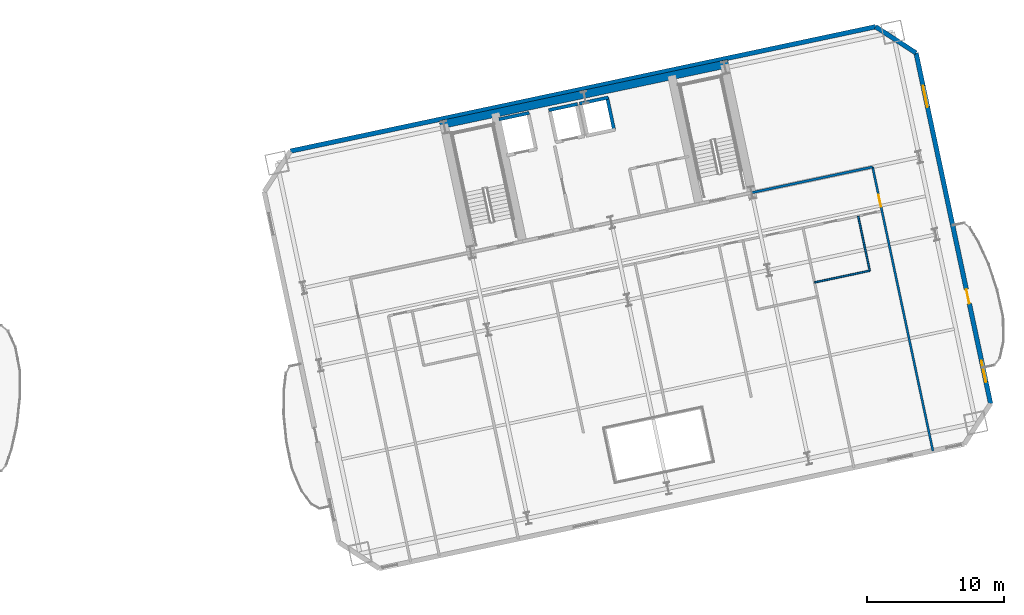
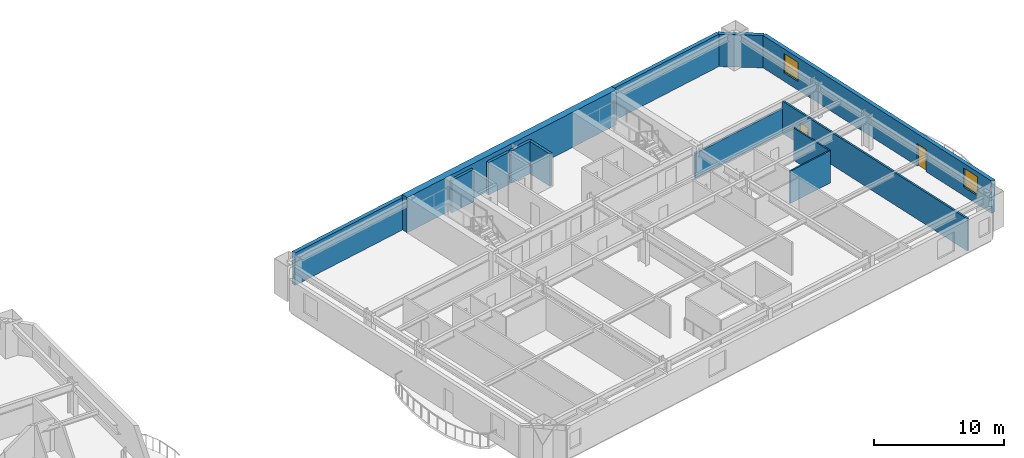
# One storey, part 9 of 16: 12 walls, 2 doors, 2 windows, 4 openings.
"""IFC4 building model written with IfcOpenShell, lengths in metres."""

import ifcopenshell
import ifcopenshell.guid

model = None  # the IFC model being written
_history = None  # IfcOwnerHistory: only IFC2X3 demands one
_inside = {}  # id of a spatial element -> (the spatial element, [elements in it])
_under = {}  # id of a project, library or spatial element -> (it, [spatial elements below it])
_declared = {}  # id of a project -> (the project, [libraries it declares])
_typed = {}  # id of a type object -> (the type object, [elements of that type])
_made_of = {}  # id of a material, layer set ... -> (it, [elements and type objects made of it])


def new_model(schema):
    """Start an empty IFC model of exactly this schema.

    Asked for "IFC4X3", IfcOpenShell would pick the latest addendum, in which some entities
    have other attributes; the version numbers below select the first issue.
    IFC2X3 requires an IfcOwnerHistory on every rooted entity: one is made here for all.
    """
    global model, _history
    if schema == "IFC4X3":
        model = ifcopenshell.file(schema_version=(4, 3, 0, 0))
    else:
        model = ifcopenshell.file(schema=schema)
    _inside.clear()
    _under.clear()
    _declared.clear()
    _typed.clear()
    _made_of.clear()
    _history = None
    if model.schema == "IFC2X3":
        org = make("IfcOrganization", Name="unknown")
        user = make(
            "IfcPersonAndOrganization",
            ThePerson=make("IfcPerson", FamilyName="unknown"),
            TheOrganization=org,
        )
        app = make(
            "IfcApplication",
            ApplicationDeveloper=org,
            Version="unknown",
            ApplicationFullName="unknown",
            ApplicationIdentifier="unknown",
        )
        _history = make(
            "IfcOwnerHistory",
            OwningUser=user,
            OwningApplication=app,
            ChangeAction="ADDED",
            CreationDate=0,
        )
    return model


def make(cls, **values):
    """One entity of the class cls with the attributes given. An attribute that is None is left unset."""
    return model.create_entity(
        cls, **{name: value for name, value in values.items() if value is not None}
    )


def rooted(cls, **values):
    """An entity with a GlobalId (a new one), such as an element, a storey or a relation."""
    return make(cls, GlobalId=ifcopenshell.guid.new(), OwnerHistory=_history, **values)


def si_unit(unit_type, name, prefix=None):
    """IfcSIUnit, for example si_unit("LENGTHUNIT", "METRE", prefix="MILLI")."""
    return make("IfcSIUnit", UnitType=unit_type, Prefix=prefix, Name=name)


def assignment(units):
    """IfcUnitAssignment: the units of a project."""
    return None if units is None else make("IfcUnitAssignment", Units=units)


def point(xyz):
    """IfcCartesianPoint."""
    return None if xyz is None else make("IfcCartesianPoint", Coordinates=xyz)


def direction(xyz):
    """IfcDirection."""
    return None if xyz is None else make("IfcDirection", DirectionRatios=xyz)


def frame(location, z_axis=None, x_axis=None):
    """IfcAxis2Placement3D, a coordinate frame: its origin and axes. An axis left out is left unset."""
    return make(
        "IfcAxis2Placement3D",
        Location=point(location),
        Axis=direction(z_axis),
        RefDirection=direction(x_axis),
    )


def frame_2d(location, x_axis=None):
    """IfcAxis2Placement2D, a coordinate frame in the plane: its origin and x axis."""
    return make(
        "IfcAxis2Placement2D", Location=point(location), RefDirection=direction(x_axis)
    )


def origin():
    """The frame at (0, 0, 0) with its axes left unset."""
    return frame((0.0, 0.0, 0.0))


def place(relative_to, where):
    """IfcLocalPlacement: puts the frame where relative to a parent placement (None: the world)."""
    return make(
        "IfcLocalPlacement", PlacementRelTo=relative_to, RelativePlacement=where
    )


def context(
    kind, dimensions, precision=None, world=None, true_north=None, identifier=None
):
    """IfcGeometricRepresentationContext, for example the 3D "Model" context."""
    return make(
        "IfcGeometricRepresentationContext",
        ContextIdentifier=identifier,
        ContextType=kind,
        CoordinateSpaceDimension=dimensions,
        Precision=precision,
        WorldCoordinateSystem=world,
        TrueNorth=true_north,
    )


def subcontext(parent, identifier, kind, view, scale=None):
    """IfcGeometricRepresentationSubContext, for example "Body" below "Model"."""
    return make(
        "IfcGeometricRepresentationSubContext",
        ContextIdentifier=identifier,
        ContextType=kind,
        ParentContext=parent,
        TargetScale=scale,
        TargetView=view,
    )


def project(units=None, contexts=None):
    """IfcProject with its units and contexts."""
    return rooted(
        "IfcProject",
        Name="project",
        RepresentationContexts=contexts,
        UnitsInContext=assignment(units),
    )


def spatial(cls, under=None, at=None, **own):
    """A site, building, storey or space (cls), placed at a placement, below another one or the project."""
    s = rooted(cls, ObjectPlacement=at, **own)
    if under is not None:
        _under.setdefault(under.id(), (under, []))[1].append(s)
    return s


def profile(cls, at=None, kind="AREA", **sizes):
    """A parametric profile (cls). Its sizes go by their IFC names, for example OverallWidth=200.0."""
    return make(cls, ProfileType=kind, Position=at, **sizes)


def rectangle(**sizes):
    """IfcRectangleProfileDef."""
    return profile("IfcRectangleProfileDef", **sizes)


def extrude(swept, where, along, depth):
    """IfcExtrudedAreaSolid: the profile swept, set in the frame where, extruded along a direction by depth."""
    return make(
        "IfcExtrudedAreaSolid",
        SweptArea=swept,
        Position=where,
        ExtrudedDirection=direction(along),
        Depth=depth,
    )


def shape(context_of_items, identifier, shape_type, items):
    """IfcShapeRepresentation: the items that make up one representation, for example the "Body"."""
    return make(
        "IfcShapeRepresentation",
        ContextOfItems=context_of_items,
        RepresentationIdentifier=identifier,
        RepresentationType=shape_type,
        Items=items,
    )


def material(Name=None, Category=None):
    """IfcMaterial."""
    return make("IfcMaterial", Name=Name, Category=Category)


def layer(
    of_material, thickness, ventilated=None, Name=None, Category=None, Priority=None
):
    """IfcMaterialLayer: one layer of a wall or slab, of a material (None: an air gap)."""
    return make(
        "IfcMaterialLayer",
        Material=of_material,
        LayerThickness=thickness,
        IsVentilated=ventilated,
        Name=Name,
        Category=Category,
        Priority=Priority,
    )


def layer_set(layers, Name=None):
    """IfcMaterialLayerSet."""
    return make("IfcMaterialLayerSet", MaterialLayers=layers, LayerSetName=Name)


def made_of(thing, what):
    """Note that an element or type object is made of a material, layer set ...; save() writes the relation."""
    if what is not None:
        _made_of.setdefault(what.id(), (what, []))[1].append(thing)
    return thing


def type_object(cls, material=None, **own):
    """A type object (cls), such as IfcWallType, which elements share."""
    return made_of(rooted(cls, **own), material)


def element(
    cls,
    number,
    at=None,
    inside=None,
    cuts=None,
    type_object=None,
    material=None,
    context=None,
    identifier="Body",
    shape_type=None,
    held_by="IfcProductDefinitionShape",
    body=None,
    shapes=None,
    **own,
):
    """One element of the class cls, such as IfcWall. Its Tag is "e" and its number.

    at: its placement. inside: the storey or other place that contains it. cuts: it is an
    opening in that element (IfcRelVoidsElement). A single representation is given by context,
    identifier, shape_type and body (its items); several are given by shapes. held_by: the class
    of the entity that holds the representations. save() writes the other relations.
    """
    e = rooted(cls, Tag="e%d" % number, ObjectPlacement=at, **own)
    if body is not None:
        shapes = [shape(context, identifier, shape_type, body)]
    if shapes is not None:
        e.Representation = make(held_by, Representations=shapes)
    if inside is not None:
        _inside.setdefault(inside.id(), (inside, []))[1].append(e)
    if cuts is not None:
        rooted(
            "IfcRelVoidsElement", RelatingBuildingElement=cuts, RelatedOpeningElement=e
        )
    if type_object is not None:
        _typed.setdefault(type_object.id(), (type_object, []))[1].append(e)
    return made_of(e, material)


def fill(opening, filler):
    """IfcRelFillsElement: the door or window that sits in an opening."""
    return rooted(
        "IfcRelFillsElement",
        RelatingOpeningElement=opening,
        RelatedBuildingElement=filler,
    )


def aggregate(whole, parts):
    """IfcRelAggregates: a whole, such as a stair, and the parts it consists of."""
    return rooted("IfcRelAggregates", RelatingObject=whole, RelatedObjects=parts)


def save(model, path):
    """Write the relations noted so far, then the file.

    IfcRelAggregates (storeys below a building ...), IfcRelContainedInSpatialStructure (elements
    in a storey), IfcRelDefinesByType, IfcRelAssociatesMaterial and IfcRelDeclares: one each for
    every whole, place, type object, material and project.
    """
    for whole, parts in _under.values():
        aggregate(whole, parts)
    for where, things in _inside.values():
        rooted(
            "IfcRelContainedInSpatialStructure",
            RelatedElements=things,
            RelatingStructure=where,
        )
    for kind, things in _typed.values():
        rooted("IfcRelDefinesByType", RelatedObjects=things, RelatingType=kind)
    for what, things in _made_of.values():
        rooted("IfcRelAssociatesMaterial", RelatedObjects=things, RelatingMaterial=what)
    for by, libraries in _declared.values():
        rooted("IfcRelDeclares", RelatingContext=by, RelatedDefinitions=libraries)
    model.write(path)


model = new_model("IFC4")

# Units and contexts
model_context = context("Model", 3, precision=1e-05, world=origin(), true_north=direction((0.0, 1.0)))
body_context = subcontext(model_context, "Body", "Model", "MODEL_VIEW")
ifc_project = project(units=[si_unit("LENGTHUNIT", "METRE"), si_unit("AREAUNIT", "SQUARE_METRE"), si_unit("VOLUMEUNIT", "CUBIC_METRE"), si_unit("PLANEANGLEUNIT", "RADIAN"), si_unit("MASSUNIT", "GRAM", prefix="KILO")], contexts=[model_context])

# Site, building, storey
site_placement = place(None, origin())
site = spatial("IfcSite", under=ifc_project, at=site_placement, CompositionType="ELEMENT")
building_placement = place(site_placement, origin())
building = spatial("IfcBuilding", under=site, at=building_placement, Name="Haevon Station Towers", CompositionType="ELEMENT")
storey_placement = place(building_placement, frame((0.0, 0.0, 53.699951171875)))
storey = spatial("IfcBuildingStorey", under=building, at=storey_placement, Name="L13", CompositionType="ELEMENT", Elevation=53.699951171875)

# Walls
ifc_material_1 = material(Name="Gypsum board on steel stud", Category="steel")
ifc_layer_1 = layer(ifc_material_1, 0.179931640625)
ifc_layer_set_1 = layer_set([ifc_layer_1], Name="Gypsum board on steel stud")
wall_type_1 = type_object("IfcWallType", Name="WL-ACU180", PredefinedType="PARTITIONING", material=ifc_layer_set_1)
wall_1_placement = place(storey_placement, frame((119.29345703125, 41.80859375, 0.0), z_axis=(0.0, 0.0, 1.0), x_axis=(0.978148085545, 0.207909409948, 0.0)))
element("IfcWall", 1, at=wall_1_placement, inside=storey, type_object=wall_type_1, Name="WL-T2PT-L13-03", PredefinedType="PARTITIONING", context=body_context, shape_type="SweptSolid", body=[
    extrude(rectangle(XDim=9.050048828125, YDim=0.179931640625, at=frame_2d((4.52490234375, 0.0))), origin(), (0.0, 0.0, 1.0), 2.330078125),
])
ifc_material_2 = material(Name="Concrete C60/75", Category="concrete")
ifc_layer_2 = layer(ifc_material_2, 0.60009765625)
ifc_layer_set_2 = layer_set([ifc_layer_2], Name="Concrete C60/75")
wall_type_2 = type_object("IfcWallType", Name="WL-CR600", PredefinedType="SHEAR", material=ifc_layer_set_2)
wall_2_placement = place(storey_placement, frame((96.462890625, 46.770263671875, 0.0), z_axis=(0.0, 0.0, 1.0), x_axis=(0.978147272959, 0.207913232873, 0.0)))
element("IfcWall", 2, at=wall_2_placement, inside=storey, type_object=wall_type_2, Name="WL-T2CR-L13-N", PredefinedType="SHEAR", context=body_context, shape_type="SweptSolid", body=[
    extrude(rectangle(XDim=21.60009765625, YDim=0.60009765625, at=frame_2d((10.800048828125, 0.0))), origin(), (0.0, 0.0, 1.0), 3.300048828125),
])
ifc_material_3 = material(Name="Precast concrete C45/55", Category="concrete")
ifc_layer_3 = layer(ifc_material_3, 0.340087890625)
ifc_layer_set_3 = layer_set([ifc_layer_3], Name="Precast concrete C45/55")
wall_type_3 = type_object("IfcWallType", Name="WL-EXT-PIER340", PredefinedType="SOLIDWALL", material=ifc_layer_set_3)
wall_3_placement = place(storey_placement, frame((85.5224609375, 44.853759765625, 0.0), z_axis=(0.0, 0.0, 1.0), x_axis=(0.978147913223, 0.207910220665, 0.0)))
element("IfcWall", 3, at=wall_3_placement, inside=storey, type_object=wall_type_3, Name="WL-T2-L13-N", PredefinedType="SOLIDWALL", context=body_context, shape_type="SweptSolid", body=[
    extrude(rectangle(XDim=43.7998046875, YDim=0.340087890625, at=frame_2d((21.89990234375, 0.0))), origin(), (0.0, 0.0, 1.0), 3.030029296875),
])
wall_4_placement = place(storey_placement, frame((128.365234375, 53.960205078125, 0.0), z_axis=(0.0, 0.0, 1.0), x_axis=(0.838672309694, -0.544636352948, 0.0)))
element("IfcWall", 4, at=wall_4_placement, inside=storey, type_object=wall_type_3, Name="WL-T2-L13-NEC", PredefinedType="SOLIDWALL", context=body_context, shape_type="SweptSolid", body=[
    extrude(rectangle(XDim=3.535400390625, YDim=0.340087890625, at=frame_2d((1.767578125, 0.0))), origin(), (0.0, 0.0, 1.0), 3.030029296875),
])

# Wall, openings, door, windows
wall_5_placement = place(storey_placement, frame((131.330322265625, 52.03466796875, 0.0), z_axis=(0.0, 0.0, 1.0), x_axis=(0.207913593786, -0.978147196244, 0.0)))
wall_5 = element("IfcWall", 5, at=wall_5_placement, inside=storey, type_object=wall_type_3, Name="WL-T2-L13-E", PredefinedType="SOLIDWALL", context=body_context, shape_type="SweptSolid", body=[
    extrude(rectangle(XDim=26.250244140625, YDim=0.340087890625, at=frame_2d((13.125, 0.0))), origin(), (0.0, 0.0, 1.0), 3.030029296875),
])
opening_1_placement = place(wall_5_placement, frame((17.699951171875, 0.0, 0.0)))
opening_1 = element("IfcOpeningElement", 6, at=opening_1_placement, cuts=wall_5, Name="Opening DR-T2-SCAL-L13-E", PredefinedType="OPENING", context=body_context, shape_type="SweptSolid", body=[
    extrude(rectangle(XDim=1.050048828125, YDim=2.10009765625, at=frame_2d((0.52490234375, 1.050048828125))), frame((0.0, 0.179931640625, 0.0), z_axis=(0.0, -1.0, 0.0), x_axis=(1.0, 0.0, 0.0)), (0.0, 0.0, 1.0), 0.360107421875),
])
opening_2_placement = place(wall_5_placement, frame((2.4462890625, 0.0, 0.800048828125)))
opening_2 = element("IfcOpeningElement", 7, at=opening_2_placement, cuts=wall_5, Name="Opening WN-END160", PredefinedType="OPENING", context=body_context, shape_type="SweptSolid", body=[
    extrude(rectangle(XDim=1.60009765625, YDim=1.800048828125, at=frame_2d((0.800048828125, 0.89990234375))), frame((0.0, 0.179931640625, 0.0), z_axis=(0.0, -1.0, 0.0), x_axis=(1.0, 0.0, 0.0)), (0.0, 0.0, 1.0), 0.360107421875),
])
opening_3_placement = place(wall_5_placement, frame((23.02685546875, 0.0, 0.800048828125)))
opening_3 = element("IfcOpeningElement", 8, at=opening_3_placement, cuts=wall_5, Name="Opening WN-END160", PredefinedType="OPENING", context=body_context, shape_type="SweptSolid", body=[
    extrude(rectangle(XDim=1.60009765625, YDim=1.800048828125, at=frame_2d((0.800048828125, 0.89990234375))), frame((0.0, 0.179931640625, 0.0), z_axis=(0.0, -1.0, 0.0), x_axis=(1.0, 0.0, 0.0)), (0.0, 0.0, 1.0), 0.360107421875),
])
ifc_material_4 = material(Name="Thermally broken anodised aluminium and laminated safety glass", Category="aluminium")
door_type_1 = type_object("IfcDoorType", Name="DR-BALC-1050", OperationType="NOTDEFINED", PredefinedType="DOOR", material=ifc_material_4)
door_1_placement = place(opening_1_placement, origin())
door_1 = element("IfcDoor", 9, at=door_1_placement, inside=storey, type_object=door_type_1, Name="Tower 2 L13 East Scalloped Balcony Door", OperationType="SINGLE_SWING_LEFT", OverallHeight=2.10009765625, OverallWidth=1.050048828125, PredefinedType="DOOR", context=body_context, shape_type="SweptSolid", body=[
    extrude(rectangle(XDim=1.050048828125, YDim=2.10009765625, at=frame_2d((0.52490234375, 1.050048828125))), frame((0.0, 0.02490234375, 0.0), z_axis=(0.0, -1.0, 0.0), x_axis=(1.0, 0.0, 0.0)), (0.0, 0.0, 1.0), 0.050048828125),
])
fill(opening_1, door_1)
ifc_material_5 = material(Name="Low-E triple glazing in thermally broken aluminium", Category="aluminium")
window_type = type_object("IfcWindowType", Name="WN-END160", PartitioningType="SINGLE_PANEL", PredefinedType="WINDOW", material=ifc_material_5)
window_1_placement = place(opening_2_placement, origin())
window_1 = element("IfcWindow", 10, at=window_1_placement, inside=storey, type_object=window_type, Name="WN-T2-L13-E01", OverallHeight=1.800048828125, OverallWidth=1.60009765625, PartitioningType="SINGLE_PANEL", PredefinedType="WINDOW", context=body_context, shape_type="SweptSolid", body=[
    extrude(rectangle(XDim=1.60009765625, YDim=1.800048828125, at=frame_2d((0.800048828125, 0.89990234375))), frame((0.0, 0.030029296875, 0.0), z_axis=(0.0, -1.0, 0.0), x_axis=(1.0, 0.0, 0.0)), (0.0, 0.0, 1.0), 0.06005859375),
])
fill(opening_2, window_1)
window_2_placement = place(opening_3_placement, origin())
window_2 = element("IfcWindow", 11, at=window_2_placement, inside=storey, type_object=window_type, Name="WN-T2-L13-E02", OverallHeight=1.800048828125, OverallWidth=1.60009765625, PartitioningType="SINGLE_PANEL", PredefinedType="WINDOW", context=body_context, shape_type="SweptSolid", body=[
    extrude(rectangle(XDim=1.60009765625, YDim=1.800048828125, at=frame_2d((0.800048828125, 0.89990234375))), frame((0.0, 0.030029296875, 0.0), z_axis=(0.0, -1.0, 0.0), x_axis=(1.0, 0.0, 0.0)), (0.0, 0.0, 1.0), 0.06005859375),
])
fill(opening_3, window_2)

# Walls
ifc_layer_4 = layer(ifc_material_1, 0.125)
ifc_layer_set_4 = layer_set([ifc_layer_4], Name="Gypsum board on steel stud")
wall_type_4 = type_object("IfcWallType", Name="WL-PRT125", PredefinedType="PARTITIONING", material=ifc_layer_set_4)
wall_6_placement = place(storey_placement, frame((123.8984375, 35.23681640625, 0.0), z_axis=(0.0, 0.0, 1.0), x_axis=(0.978146085238, 0.207918820535, 0.0)))
element("IfcWall", 12, at=wall_6_placement, inside=storey, type_object=wall_type_4, Name="WL-T2PT-L13-21", PredefinedType="PARTITIONING", context=body_context, shape_type="SweptSolid", body=[
    extrude(rectangle(XDim=4.132080078125, YDim=0.125, at=frame_2d((2.06591796875, 0.0))), origin(), (0.0, 0.0, 1.0), 3.030029296875),
])
wall_7_placement = place(storey_placement, frame((127.940185546875, 36.095947265625, 0.0), z_axis=(0.0, 0.0, 1.0), x_axis=(-0.207949518415, 0.978139559465, 0.0)))
element("IfcWall", 13, at=wall_7_placement, inside=storey, type_object=wall_type_4, Name="WL-T2PT-L13-22", PredefinedType="PARTITIONING", context=body_context, shape_type="SweptSolid", body=[
    extrude(rectangle(XDim=4.085693359375, YDim=0.125, at=frame_2d((2.04296875, 0.0))), origin(), (0.0, 0.0, 1.0), 3.030029296875),
])

# Wall, opening, door
ifc_layer_5 = layer(ifc_material_1, 0.159912109375)
ifc_layer_set_5 = layer_set([ifc_layer_5], Name="Gypsum board on steel stud")
wall_type_5 = type_object("IfcWallType", Name="WL-PRT160", PredefinedType="PARTITIONING", material=ifc_layer_set_5)
wall_8_placement = place(storey_placement, frame((132.563720703125, 22.904541015625, 0.0), z_axis=(0.0, 0.0, 1.0), x_axis=(-0.207904649693, 0.978149097345, 0.0)))
wall_8 = element("IfcWall", 14, at=wall_8_placement, inside=storey, type_object=wall_type_5, Name="WL-T2PT-L13-05", PredefinedType="PARTITIONING", context=body_context, shape_type="SweptSolid", body=[
    extrude(rectangle(XDim=21.25, YDim=0.159912109375, at=frame_2d((10.625, 0.0))), origin(), (0.0, 0.0, 1.0), 3.030029296875),
])
opening_4_placement = place(wall_8_placement, frame((18.27001953125, 0.0, 0.0)))
opening_4 = element("IfcOpeningElement", 15, at=opening_4_placement, cuts=wall_8, Name="Opening DR-WL-T2PT-L13-05-01", PredefinedType="OPENING", context=body_context, shape_type="SweptSolid", body=[
    extrude(rectangle(XDim=0.89990234375, YDim=2.050048828125, at=frame_2d((0.449951171875, 1.02490234375))), frame((0.0, 0.08984375, 0.0), z_axis=(0.0, -1.0, 0.0), x_axis=(1.0, 0.0, 0.0)), (0.0, 0.0, 1.0), 0.179931640625),
])
ifc_material_6 = material(Name="Engineered oak timber", Category="wood")
door_type_2 = type_object("IfcDoorType", Name="DR-INT-900", OperationType="NOTDEFINED", PredefinedType="DOOR", material=ifc_material_6)
door_2_placement = place(opening_4_placement, origin())
door_2 = element("IfcDoor", 16, at=door_2_placement, inside=storey, type_object=door_type_2, Name="L13 Tower 2 Room Door 5-1", OperationType="SINGLE_SWING_RIGHT", OverallHeight=2.050048828125, OverallWidth=0.89990234375, PredefinedType="DOOR", context=body_context, shape_type="SweptSolid", body=[
    extrude(rectangle(XDim=0.89990234375, YDim=2.050048828125, at=frame_2d((0.449951171875, 1.02490234375))), frame((0.0, 0.02490234375, 0.0), z_axis=(0.0, -1.0, 0.0), x_axis=(1.0, 0.0, 0.0)), (0.0, 0.0, 1.0), 0.050048828125),
])
fill(opening_4, door_2)

# Walls
ifc_material_7 = material(Name="Concrete C40/50", Category="concrete")
ifc_layer_6 = layer(ifc_material_7, 0.239990234375)
ifc_layer_set_6 = layer_set([ifc_layer_6], Name="Concrete C40/50")
wall_type_6 = type_object("IfcWallType", Name="WL-SHF240", PredefinedType="PARTITIONING", material=ifc_layer_set_6)
wall_9_placement = place(storey_placement, frame((100.79248046875, 47.179443359375, 0.0), z_axis=(0.0, 0.0, 1.0), x_axis=(0.978162968872, 0.207839376268, 0.0)))
element("IfcWall", 17, at=wall_9_placement, inside=storey, type_object=wall_type_6, Name="WL-SHF-FL2-L13-N", PredefinedType="PARTITIONING", context=body_context, shape_type="SweptSolid", body=[
    extrude(rectangle(XDim=2.260009765625, YDim=0.239990234375, at=frame_2d((1.1298828125, 0.0))), origin(), (0.0, 0.0, 1.0), 3.030029296875),
])
for number, where, z_axis, x_axis, name in (
    (18, (104.432373046875, 47.850830078125, 0.0), (0.0, 0.0, 1.0), (0.978158276388, 0.207861459473, 0.0), "WL-SHF-PL7-L13-N"),
    (19, (106.68212890625, 48.3291015625, 0.0), (0.0, 0.0, 1.0), (0.978158276388, 0.207861459473, 0.0), "WL-SHF-PL8-L13-N"),
):
    element("IfcWall", number, at=place(storey_placement, frame(where, z_axis=z_axis, x_axis=x_axis)), inside=storey, type_object=wall_type_6, Name=name, PredefinedType="PARTITIONING", context=body_context, shape_type="SweptSolid", body=[
        extrude(rectangle(XDim=2.159912109375, YDim=0.239990234375, at=frame_2d((1.080078125, 0.0))), origin(), (0.0, 0.0, 1.0), 3.030029296875),
    ])
wall_10_placement = place(storey_placement, frame((109.2158203125, 46.413818359375, 0.0), z_axis=(0.0, 0.0, 1.0), x_axis=(-0.207917150959, 0.978146440129, 0.0)))
element("IfcWall", 20, at=wall_10_placement, inside=storey, type_object=wall_type_6, Name="WL-SHF-PL8-L13-E", PredefinedType="PARTITIONING", context=body_context, shape_type="SweptSolid", body=[
    extrude(rectangle(XDim=2.400146484375, YDim=0.239990234375, at=frame_2d((1.2001953125, 0.0))), origin(), (0.0, 0.0, 1.0), 3.030029296875),
])

save(model, "model.ifc")
